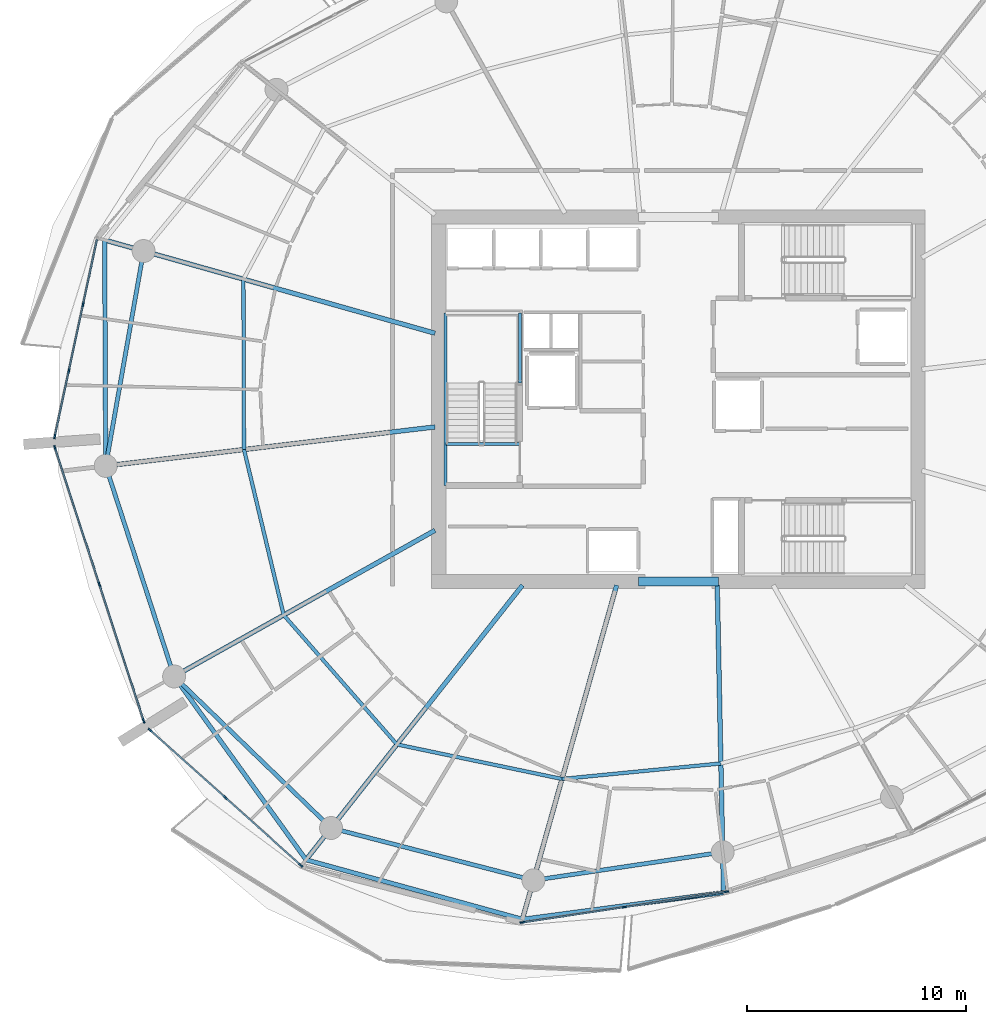
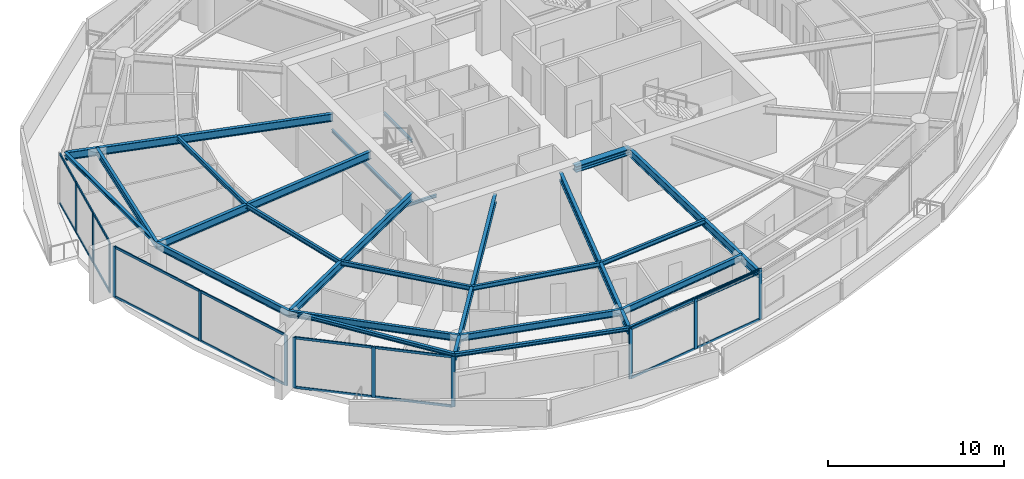
# One storey, part 5 of 21: 30 members, 24 beams, 4 elements without a shape of their own.
"""IFC4 building model written with IfcOpenShell, lengths in metres."""

from ifc_helpers import new_model, si_unit, direction, frame, origin, origin_2d, place, context, subcontext, project, spatial, rectangle, i_section, extrude, material, layer, layer_set, material_profile, profile_set, type_object, element, aggregate, save


model = new_model("IFC4")

# Units and contexts
model_context = context("Model", 3, precision=1e-05, world=origin(), true_north=direction((0.0, 1.0)))
body_context = subcontext(model_context, "Body", "Model", "MODEL_VIEW")
ifc_project = project(units=[si_unit("LENGTHUNIT", "METRE"), si_unit("AREAUNIT", "SQUARE_METRE"), si_unit("VOLUMEUNIT", "CUBIC_METRE"), si_unit("PLANEANGLEUNIT", "RADIAN"), si_unit("MASSUNIT", "GRAM", prefix="KILO")], contexts=[model_context])

# Site, building, storey
site_placement = place(None, origin())
site = spatial("IfcSite", under=ifc_project, at=site_placement, CompositionType="ELEMENT")
building_placement = place(site_placement, origin())
building = spatial("IfcBuilding", under=site, at=building_placement, Name="Kazma Halo Residences", CompositionType="ELEMENT")
storey_placement = place(building_placement, frame((0.0, 0.0, 176.550048828125)))
storey = spatial("IfcBuildingStorey", under=building, at=storey_placement, Name="L44", CompositionType="ELEMENT", Elevation=176.550048828125)

# Beams
ifc_material_1 = material(Name="Steel S355", Category="steel")
ifc_material_profile_1 = material_profile(ifc_material_1, i_section(OverallWidth=0.201904296875, OverallDepth=0.2470703125, WebThickness=0.00732421875, FlangeThickness=0.010986328125, FilletRadius=0.011962890625, at=origin_2d()), Name="W250x49.1")
ifc_profile_set_1 = profile_set([ifc_material_profile_1], Name="Steel S355")
beam_type_1 = type_object("IfcBeamType", Name="BM-BAL-CANT", PredefinedType="BEAM", material=ifc_profile_set_1)
for number, where, z_axis, x_axis, name in (
    (1, (22.19970703125, 49.276611328125, 3.37646484375), (0.004705663334, -0.999988928305, 0.0), (0.999988928305, 0.004705663334, 0.0), "L44 wave-balcony tie beam 07"),
    (2, (25.375, 29.329345703125, 3.37646484375), (0.583963922576, -0.811779611181, 0.0), (0.811779611181, 0.583963922576, 0.0), "L44 wave-balcony lead tie beam 09"),
):
    element("IfcBeam", number, at=place(storey_placement, frame(where, z_axis=z_axis, x_axis=x_axis)), inside=storey, type_object=beam_type_1, Name=name, PredefinedType="BEAM", context=body_context, shape_type="SweptSolid", body=[
        extrude(i_section(OverallWidth=0.201904296875, OverallDepth=0.2470703125, WebThickness=0.00732421875, FlangeThickness=0.010986328125, FilletRadius=0.011962890625, at=origin_2d()), origin(), (0.0, 0.0, 1.0), 10.324462890625),
    ])
beam_1_placement = place(storey_placement, frame((31.404052734375, 20.9482421875, 3.37646484375), z_axis=(0.964197026197, -0.265186905169, 0.0), x_axis=(0.265186905169, 0.964197026197, 0.0)))
element("IfcBeam", 3, at=beam_1_placement, inside=storey, type_object=beam_type_1, Name="L44 wave-balcony tie beam 10", PredefinedType="BEAM", context=body_context, shape_type="SweptSolid", body=[
    extrude(i_section(OverallWidth=0.201904296875, OverallDepth=0.2470703125, WebThickness=0.00732421875, FlangeThickness=0.010986328125, FilletRadius=0.011962890625, at=origin_2d()), origin(), (0.0, 0.0, 1.0), 10.258544921875),
])
beam_2_placement = place(storey_placement, frame((41.29541015625, 18.227783203125, 3.37646484375), z_axis=(0.99126671613, 0.131872277199, 0.0), x_axis=(-0.131872277199, 0.99126671613, 0.0)))
element("IfcBeam", 4, at=beam_2_placement, inside=storey, type_object=beam_type_1, Name="L44 wave-balcony tie beam 11", PredefinedType="BEAM", context=body_context, shape_type="SweptSolid", body=[
    extrude(i_section(OverallWidth=0.201904296875, OverallDepth=0.2470703125, WebThickness=0.00732421875, FlangeThickness=0.010986328125, FilletRadius=0.011962890625, at=origin_2d()), origin(), (0.0, 0.0, 1.0), 9.2734375),
])
ifc_material_profile_2 = material_profile(ifc_material_1, i_section(OverallWidth=0.408935546875, OverallDepth=0.425048828125, WebThickness=0.03271484375, FlangeThickness=0.052490234375, FilletRadius=0.02001953125, at=origin_2d()), Name="W360x421")
ifc_profile_set_2 = profile_set([ifc_material_profile_2], Name="Steel S355")
beam_type_2 = type_object("IfcBeamType", Name="BM-CORE-W360H", PredefinedType="BEAM", material=ifc_profile_set_2)
beam_3_placement = place(storey_placement, frame((46.60009765625, 33.675048828125, 3.287353515625), z_axis=(1.0, 0.0, 0.0), x_axis=(0.0, 1.0, 0.0)))
element("IfcBeam", 5, at=beam_3_placement, inside=storey, type_object=beam_type_2, Name="L44 core coupling beam S", PredefinedType="BEAM", context=body_context, shape_type="SweptSolid", body=[
    extrude(i_section(OverallWidth=0.408935546875, OverallDepth=0.425048828125, WebThickness=0.03271484375, FlangeThickness=0.052490234375, FilletRadius=0.02001953125, at=origin_2d()), origin(), (0.0, 0.0, 1.0), 3.64990234375),
])
ifc_material_profile_3 = material_profile(ifc_material_1, i_section(OverallWidth=0.208984375, OverallDepth=0.532958984375, WebThickness=0.01025390625, FlangeThickness=0.015625, FilletRadius=0.01611328125, at=origin_2d()), Name="W530x92")
ifc_profile_set_3 = profile_set([ifc_material_profile_3], Name="Steel S355")
beam_type_3 = type_object("IfcBeamType", Name="BM-RAD-W530", PredefinedType="BEAM", material=ifc_profile_set_3)
beam_4_placement = place(storey_placement, frame((37.300048828125, 45.017578125, 3.2333984375), z_axis=(-0.962450301448, 0.271457947467, 0.0), x_axis=(-0.271457947467, -0.962450301448, 0.0)))
element("IfcBeam", 6, at=beam_4_placement, inside=storey, type_object=beam_type_3, Name="L44 radial floor beam 07", PredefinedType="BEAM", context=body_context, shape_type="SweptSolid", body=[
    extrude(i_section(OverallWidth=0.208984375, OverallDepth=0.532958984375, WebThickness=0.01025390625, FlangeThickness=0.015625, FilletRadius=0.01611328125, at=origin_2d()), origin(), (0.0, 0.0, 1.0), 15.689453125),
])
beam_5_placement = place(storey_placement, frame((37.300048828125, 40.733642578125, 3.2333984375), z_axis=(-0.993068447674, -0.117537475875, 0.0), x_axis=(0.117537475875, -0.993068447674, 0.0)))
element("IfcBeam", 7, at=beam_5_placement, inside=storey, type_object=beam_type_3, Name="L44 radial floor beam 08", PredefinedType="BEAM", context=body_context, shape_type="SweptSolid", body=[
    extrude(i_section(OverallWidth=0.208984375, OverallDepth=0.532958984375, WebThickness=0.01025390625, FlangeThickness=0.015625, FilletRadius=0.01611328125, at=origin_2d()), origin(), (0.0, 0.0, 1.0), 15.15673828125),
])
beam_6_placement = place(storey_placement, frame((37.300048828125, 36.0078125, 3.2333984375), z_axis=(-0.872492308718, -0.488627845327, 0.0), x_axis=(0.488627845327, -0.872492308718, 0.0)))
element("IfcBeam", 8, at=beam_6_placement, inside=storey, type_object=beam_type_3, Name="L44 radial floor beam 09", PredefinedType="BEAM", context=body_context, shape_type="SweptSolid", body=[
    extrude(i_section(OverallWidth=0.208984375, OverallDepth=0.532958984375, WebThickness=0.01025390625, FlangeThickness=0.015625, FilletRadius=0.01611328125, at=origin_2d()), origin(), (0.0, 0.0, 1.0), 13.667724609375),
])
beam_7_placement = place(storey_placement, frame((41.299072265625, 33.5, 3.2333984375), z_axis=(-0.61909439419, -0.785316580165, 0.0), x_axis=(0.785316580165, -0.61909439419, 0.0)))
element("IfcBeam", 9, at=beam_7_placement, inside=storey, type_object=beam_type_3, Name="L44 radial floor beam 10", PredefinedType="BEAM", context=body_context, shape_type="SweptSolid", body=[
    extrude(i_section(OverallWidth=0.208984375, OverallDepth=0.532958984375, WebThickness=0.01025390625, FlangeThickness=0.015625, FilletRadius=0.01611328125, at=origin_2d()), origin(), (0.0, 0.0, 1.0), 15.983154296875),
])
beam_8_placement = place(storey_placement, frame((45.602783203125, 33.5, 3.2333984375), z_axis=(-0.271449932859, -0.962452561922, 0.0), x_axis=(0.962452561922, -0.271449932859, 0.0)))
element("IfcBeam", 10, at=beam_8_placement, inside=storey, type_object=beam_type_3, Name="L44 radial floor beam 11", PredefinedType="BEAM", context=body_context, shape_type="SweptSolid", body=[
    extrude(i_section(OverallWidth=0.208984375, OverallDepth=0.532958984375, WebThickness=0.01025390625, FlangeThickness=0.015625, FilletRadius=0.01611328125, at=origin_2d()), origin(), (0.0, 0.0, 1.0), 15.867919921875),
])
beam_9_placement = place(storey_placement, frame((50.199951171875, 33.5, 3.2333984375), z_axis=(0.020483658838, -0.99979018785, 0.0), x_axis=(0.99979018785, 0.020483658838, 0.0)))
element("IfcBeam", 11, at=beam_9_placement, inside=storey, type_object=beam_type_3, Name="L44 radial floor beam 12", PredefinedType="BEAM", context=body_context, shape_type="SweptSolid", body=[
    extrude(i_section(OverallWidth=0.208984375, OverallDepth=0.532958984375, WebThickness=0.01025390625, FlangeThickness=0.015625, FilletRadius=0.01611328125, at=origin_2d()), origin(), (0.0, 0.0, 1.0), 14.05224609375),
])
ifc_material_profile_4 = material_profile(ifc_material_1, i_section(OverallWidth=0.1650390625, OverallDepth=0.31005859375, WebThickness=0.005859375, FlangeThickness=0.009765625, FilletRadius=0.011962890625, at=origin_2d()), Name="W310x38.7")
ifc_profile_set_4 = profile_set([ifc_material_profile_4], Name="Steel S355")
beam_type_4 = type_object("IfcBeamType", Name="BM-SEC-W310B", PredefinedType="JOIST", material=ifc_profile_set_4)
beam_10_placement = place(storey_placement, frame((28.5419921875, 47.48779296875, 3.344970703125), z_axis=(0.003605218278, -0.999993501179, 0.0), x_axis=(0.999993501179, 0.003605218278, 0.0)))
element("IfcBeam", 12, at=beam_10_placement, inside=storey, type_object=beam_type_4, Name="L44 circumferential floor joist 07", PredefinedType="JOIST", context=body_context, shape_type="SweptSolid", body=[
    extrude(i_section(OverallWidth=0.1650390625, OverallDepth=0.31005859375, WebThickness=0.005859375, FlangeThickness=0.009765625, FilletRadius=0.011962890625, at=origin_2d()), origin(), (0.0, 0.0, 1.0), 7.78759765625),
])
beam_11_placement = place(storey_placement, frame((28.570068359375, 39.7001953125, 3.344970703125), z_axis=(0.233058429286, -0.972462733753, 0.0), x_axis=(0.972462733753, 0.233058429286, 0.0)))
element("IfcBeam", 13, at=beam_11_placement, inside=storey, type_object=beam_type_4, Name="L44 circumferential floor joist 08", PredefinedType="JOIST", context=body_context, shape_type="SweptSolid", body=[
    extrude(i_section(OverallWidth=0.1650390625, OverallDepth=0.31005859375, WebThickness=0.005859375, FlangeThickness=0.009765625, FilletRadius=0.011962890625, at=origin_2d()), origin(), (0.0, 0.0, 1.0), 7.7802734375),
])
beam_12_placement = place(storey_placement, frame((30.38330078125, 32.13427734375, 3.344970703125), z_axis=(0.658629944618, -0.75246700662, 0.0), x_axis=(0.75246700662, 0.658629944618, 0.0)))
element("IfcBeam", 14, at=beam_12_placement, inside=storey, type_object=beam_type_4, Name="L44 circumferential floor joist 09", PredefinedType="JOIST", context=body_context, shape_type="SweptSolid", body=[
    extrude(i_section(OverallWidth=0.1650390625, OverallDepth=0.31005859375, WebThickness=0.005859375, FlangeThickness=0.009765625, FilletRadius=0.011962890625, at=origin_2d()), origin(), (0.0, 0.0, 1.0), 7.85986328125),
])
beam_13_placement = place(storey_placement, frame((35.56005859375, 26.219970703125, 3.344970703125), z_axis=(0.978821484976, -0.204715657802, 0.0), x_axis=(0.204715657802, 0.978821484976, 0.0)))
element("IfcBeam", 15, at=beam_13_placement, inside=storey, type_object=beam_type_4, Name="L44 circumferential floor joist 10", PredefinedType="JOIST", context=body_context, shape_type="SweptSolid", body=[
    extrude(i_section(OverallWidth=0.1650390625, OverallDepth=0.31005859375, WebThickness=0.005859375, FlangeThickness=0.009765625, FilletRadius=0.011962890625, at=origin_2d()), origin(), (0.0, 0.0, 1.0), 7.707763671875),
])
beam_14_placement = place(storey_placement, frame((43.1044921875, 24.64208984375, 3.344970703125), z_axis=(0.995262165401, 0.097227681872, 0.0), x_axis=(-0.097227681872, 0.995262165401, 0.0)))
element("IfcBeam", 16, at=beam_14_placement, inside=storey, type_object=beam_type_4, Name="L44 circumferential floor joist 11", PredefinedType="JOIST", context=body_context, shape_type="SweptSolid", body=[
    extrude(i_section(OverallWidth=0.1650390625, OverallDepth=0.31005859375, WebThickness=0.005859375, FlangeThickness=0.009765625, FilletRadius=0.011962890625, at=origin_2d()), origin(), (0.0, 0.0, 1.0), 7.297119140625),
])
ifc_material_profile_5 = material_profile(ifc_material_1, i_section(OverallWidth=0.18994140625, OverallDepth=0.45703125, WebThickness=0.009033203125, FlangeThickness=0.014404296875, FilletRadius=0.01611328125, at=origin_2d()), Name="W460x74")
ifc_profile_set_5 = profile_set([ifc_material_profile_5], Name="Steel S355")
beam_type_5 = type_object("IfcBeamType", Name="BM-SPN-W460", PredefinedType="BEAM", material=ifc_profile_set_5)
beam_15_placement = place(storey_placement, frame((23.980224609375, 48.7744140625, 3.271484375), z_axis=(-0.173648484202, -0.984807698962, 0.0), x_axis=(0.984807698962, -0.173648484202, 0.0)))
element("IfcBeam", 17, at=beam_15_placement, inside=storey, type_object=beam_type_5, Name="L44 perimeter ring beam 07", PredefinedType="BEAM", context=body_context, shape_type="SweptSolid", body=[
    extrude(i_section(OverallWidth=0.18994140625, OverallDepth=0.45703125, WebThickness=0.009033203125, FlangeThickness=0.014404296875, FilletRadius=0.01611328125, at=origin_2d()), origin(), (0.0, 0.0, 1.0), 9.973876953125),
])
beam_16_placement = place(storey_placement, frame((22.248291015625, 38.9521484375, 3.271484375), z_axis=(0.309023327426, -0.951054458539, 0.0), x_axis=(0.951054458539, 0.309023327426, 0.0)))
element("IfcBeam", 18, at=beam_16_placement, inside=storey, type_object=beam_type_5, Name="L44 perimeter ring beam 08", PredefinedType="BEAM", context=body_context, shape_type="SweptSolid", body=[
    extrude(i_section(OverallWidth=0.18994140625, OverallDepth=0.45703125, WebThickness=0.009033203125, FlangeThickness=0.014404296875, FilletRadius=0.01611328125, at=origin_2d()), origin(), (0.0, 0.0, 1.0), 10.117919921875),
])
beam_17_placement = place(storey_placement, frame((25.375, 29.329345703125, 3.271484375), z_axis=(0.71933650181, -0.694661786169, 0.0), x_axis=(0.694661786169, 0.71933650181, 0.0)))
element("IfcBeam", 19, at=beam_17_placement, inside=storey, type_object=beam_type_5, Name="L44 perimeter ring beam 09", PredefinedType="BEAM", context=body_context, shape_type="SweptSolid", body=[
    extrude(i_section(OverallWidth=0.18994140625, OverallDepth=0.45703125, WebThickness=0.009033203125, FlangeThickness=0.014404296875, FilletRadius=0.01611328125, at=origin_2d()), origin(), (0.0, 0.0, 1.0), 9.9736328125),
])
beam_18_placement = place(storey_placement, frame((32.54931640625, 22.401123046875, 3.271484375), z_axis=(0.968120950739, -0.25048318255, 0.0), x_axis=(0.25048318255, 0.968120950739, 0.0)))
element("IfcBeam", 20, at=beam_18_placement, inside=storey, type_object=beam_type_5, Name="L44 perimeter ring beam 10", PredefinedType="BEAM", context=body_context, shape_type="SweptSolid", body=[
    extrude(i_section(OverallWidth=0.18994140625, OverallDepth=0.45703125, WebThickness=0.009033203125, FlangeThickness=0.014404296875, FilletRadius=0.01611328125, at=origin_2d()), origin(), (0.0, 0.0, 1.0), 9.552734375),
])
beam_19_placement = place(storey_placement, frame((41.797607421875, 20.00830078125, 3.271484375), z_axis=(0.98903439143, 0.147685383732, 0.0), x_axis=(-0.147685383732, 0.98903439143, 0.0)))
element("IfcBeam", 21, at=beam_19_placement, inside=storey, type_object=beam_type_5, Name="L44 perimeter ring beam 11", PredefinedType="BEAM", context=body_context, shape_type="SweptSolid", body=[
    extrude(i_section(OverallWidth=0.18994140625, OverallDepth=0.45703125, WebThickness=0.009033203125, FlangeThickness=0.014404296875, FilletRadius=0.01611328125, at=origin_2d()), origin(), (0.0, 0.0, 1.0), 8.748291015625),
])
ifc_material_profile_6 = material_profile(ifc_material_1, i_section(OverallWidth=0.133056640625, OverallDepth=0.20703125, WebThickness=0.005859375, FlangeThickness=0.00830078125, FilletRadius=0.010009765625, at=origin_2d()), Name="W200x26.6")
ifc_profile_set_6 = profile_set([ifc_material_profile_6], Name="Steel S355")
beam_type_6 = type_object("IfcBeamType", Name="BM-TRIM-W200", PredefinedType="BEAM", material=ifc_profile_set_6)
beam_20_placement = place(storey_placement, frame((37.800048828125, 39.949951171875, -0.510009765625), z_axis=(1.0, 0.0, 0.0), x_axis=(0.0, 1.0, 0.0)))
element("IfcBeam", 22, at=beam_20_placement, inside=storey, type_object=beam_type_6, Name="L44 ST-01 floor landing support beam", PredefinedType="BEAM", context=body_context, shape_type="SweptSolid", body=[
    extrude(i_section(OverallWidth=0.133056640625, OverallDepth=0.20703125, WebThickness=0.005859375, FlangeThickness=0.00830078125, FilletRadius=0.010009765625, at=origin_2d()), origin(), (0.0, 0.0, 1.0), 3.3798828125),
])
beam_21_placement = place(storey_placement, frame((37.780029296875, 38.06005859375, 1.570068359375), z_axis=(0.0, 1.0, 0.0), x_axis=(-1.0, 0.0, 0.0)))
element("IfcBeam", 23, at=beam_21_placement, inside=storey, type_object=beam_type_6, Name="L44 ST-01 landing west wall ledger", PredefinedType="BEAM", context=body_context, shape_type="SweptSolid", body=[
    extrude(i_section(OverallWidth=0.133056640625, OverallDepth=0.20703125, WebThickness=0.005859375, FlangeThickness=0.00830078125, FilletRadius=0.010009765625, at=origin_2d()), origin(), (0.0, 0.0, 1.0), 7.8798828125),
])
beam_22_placement = place(storey_placement, frame((41.179931640625, 42.75, 1.570068359375), z_axis=(0.0, 1.0, 0.0), x_axis=(-1.0, 0.0, 0.0)))
element("IfcBeam", 24, at=beam_22_placement, inside=storey, type_object=beam_type_6, Name="L44 ST-01 landing east wall ledger", PredefinedType="BEAM", context=body_context, shape_type="SweptSolid", body=[
    extrude(i_section(OverallWidth=0.133056640625, OverallDepth=0.20703125, WebThickness=0.005859375, FlangeThickness=0.00830078125, FilletRadius=0.010009765625, at=origin_2d()), origin(), (0.0, 0.0, 1.0), 3.18994140625),
])

# Curtain wall, members
ifc_material_2 = material(Name="Aluminium AW-6063 T6 and Triple-Silver Low-E Glass", Category="aluminium")
ifc_layer = layer(ifc_material_2, 0.219970703125)
ifc_layer_set = layer_set([ifc_layer], Name="Aluminium AW-6063 T6 and Triple-Silver Low-E Glass")
curtain_wall_type = type_object("IfcCurtainWallType", Name="CW-SYS-4", PredefinedType="NOTDEFINED", material=ifc_layer_set)
curtain_wall_1_placement = place(storey_placement, origin())
curtain_wall_1 = element("IfcCurtainWall", 25, at=curtain_wall_1_placement, inside=storey, type_object=curtain_wall_type, Name="L44 unitised curtain wall B07", PredefinedType="NOTDEFINED")
ifc_material_3 = material(Name="Aluminium AW-6063 T6", Category="aluminium")
ifc_material_profile_7 = material_profile(ifc_material_3, rectangle(XDim=0.074951171875, YDim=0.219970703125, at=origin_2d()), Name="CWM-75x220")
ifc_profile_set_7 = profile_set([ifc_material_profile_7], Name="Aluminium AW-6063 T6")
member_type_1 = type_object("IfcMemberType", Name="CW-SYS-4-MUL", PredefinedType="MULLION", material=ifc_profile_set_7)
member_1_placement = place(storey_placement, frame((21.212890625, 46.3330078125, 0.0), z_axis=(0.0, 0.0, 1.0), x_axis=(0.977768017212, -0.209689543175, 0.0)))
member_1 = element("IfcMember", 26, at=member_1_placement, type_object=member_type_1, Name="CWS-4 mullion 2", PredefinedType="MULLION", context=body_context, shape_type="SweptSolid", body=[
    extrude(rectangle(XDim=0.074951171875, YDim=0.219970703125, at=origin_2d()), origin(), (0.0, 0.0, 1.0), 3.5),
])
member_2_placement = place(storey_placement, frame((20.561279296875, 43.295166015625, 0.0), z_axis=(0.0, 0.0, 1.0), x_axis=(0.977768017212, -0.209689543175, 0.0)))
member_2 = element("IfcMember", 27, at=member_2_placement, type_object=member_type_1, Name="CWS-4 mullion 3", PredefinedType="MULLION", context=body_context, shape_type="SweptSolid", body=[
    extrude(rectangle(XDim=0.074951171875, YDim=0.219970703125, at=origin_2d()), origin(), (0.0, 0.0, 1.0), 3.5),
])
member_3_placement = place(storey_placement, frame((19.917724609375, 40.2939453125, 0.0), z_axis=(0.0, 0.0, 1.0), x_axis=(0.977768017212, -0.209689543175, 0.0)))
member_3 = element("IfcMember", 28, at=member_3_placement, type_object=member_type_1, Name="CWS-4 mullion 4", PredefinedType="MULLION", context=body_context, shape_type="SweptSolid", body=[
    extrude(rectangle(XDim=0.074951171875, YDim=0.219970703125, at=origin_2d()), origin(), (0.0, 0.0, 1.0), 3.5),
])

curtain_wall_2_placement = place(storey_placement, origin())
curtain_wall_2 = element("IfcCurtainWall", 29, at=curtain_wall_2_placement, inside=storey, type_object=curtain_wall_type, Name="L44 unitised curtain wall B08", PredefinedType="NOTDEFINED")
member_4_placement = place(storey_placement, frame((19.9287109375, 39.77880859375, 0.0), z_axis=(0.0, 0.0, 1.0), x_axis=(0.951056893636, 0.309015833038, 0.0)))
member_4 = element("IfcMember", 30, at=member_4_placement, type_object=member_type_1, Name="CWS-4 mullion 1", PredefinedType="MULLION", context=body_context, shape_type="SweptSolid", body=[
    extrude(rectangle(XDim=0.074951171875, YDim=0.219970703125, at=origin_2d()), origin(), (0.0, 0.0, 1.0), 3.5),
])
member_5_placement = place(storey_placement, frame((21.95654296875, 33.5380859375, 0.0), z_axis=(0.0, 0.0, 1.0), x_axis=(0.951056893636, 0.309015833038, 0.0)))
member_5 = element("IfcMember", 31, at=member_5_placement, type_object=member_type_1, Name="CWS-4 mullion 2", PredefinedType="MULLION", context=body_context, shape_type="SweptSolid", body=[
    extrude(rectangle(XDim=0.074951171875, YDim=0.219970703125, at=origin_2d()), origin(), (0.0, 0.0, 1.0), 3.5),
])
member_6_placement = place(storey_placement, frame((23.984375, 27.297119140625, 0.0), z_axis=(0.0, 0.0, 1.0), x_axis=(0.951056893636, 0.309015833038, 0.0)))
member_6 = element("IfcMember", 32, at=member_6_placement, type_object=member_type_1, Name="CWS-4 mullion 3", PredefinedType="MULLION", context=body_context, shape_type="SweptSolid", body=[
    extrude(rectangle(XDim=0.074951171875, YDim=0.219970703125, at=origin_2d()), origin(), (0.0, 0.0, 1.0), 3.5),
])

curtain_wall_3_placement = place(storey_placement, origin())
curtain_wall_3 = element("IfcCurtainWall", 33, at=curtain_wall_3_placement, inside=storey, type_object=curtain_wall_type, Name="L44 unitised curtain wall B09", PredefinedType="NOTDEFINED")
member_7_placement = place(storey_placement, frame((24.2783203125, 26.873779296875, 0.0), z_axis=(0.0, 0.0, 1.0), x_axis=(0.667784328806, 0.744354814723, 0.0)))
member_7 = element("IfcMember", 34, at=member_7_placement, type_object=member_type_1, Name="CWS-4 mullion 1", PredefinedType="MULLION", context=body_context, shape_type="SweptSolid", body=[
    extrude(rectangle(XDim=0.074951171875, YDim=0.219970703125, at=origin_2d()), origin(), (0.0, 0.0, 1.0), 3.5),
])
member_8_placement = place(storey_placement, frame((27.719482421875, 23.786865234375, 0.0), z_axis=(0.0, 0.0, 1.0), x_axis=(0.667784328806, 0.744354814723, 0.0)))
member_8 = element("IfcMember", 35, at=member_8_placement, type_object=member_type_1, Name="CWS-4 mullion 2", PredefinedType="MULLION", context=body_context, shape_type="SweptSolid", body=[
    extrude(rectangle(XDim=0.074951171875, YDim=0.219970703125, at=origin_2d()), origin(), (0.0, 0.0, 1.0), 3.5),
])
member_9_placement = place(storey_placement, frame((31.160400390625, 20.69970703125, 0.0), z_axis=(0.0, 0.0, 1.0), x_axis=(0.667784328806, 0.744354814723, 0.0)))
member_9 = element("IfcMember", 36, at=member_9_placement, type_object=member_type_1, Name="CWS-4 mullion 3", PredefinedType="MULLION", context=body_context, shape_type="SweptSolid", body=[
    extrude(rectangle(XDim=0.074951171875, YDim=0.219970703125, at=origin_2d()), origin(), (0.0, 0.0, 1.0), 3.5),
])

curtain_wall_4_placement = place(storey_placement, origin())
curtain_wall_4 = element("IfcCurtainWall", 37, at=curtain_wall_4_placement, inside=storey, type_object=curtain_wall_type, Name="L44 unitised curtain wall B11", PredefinedType="NOTDEFINED")
member_10_placement = place(storey_placement, frame((41.291259765625, 18.086669921875, 0.0), z_axis=(0.0, 0.0, 1.0), x_axis=(-0.148772639188, 0.988871428361, 0.0)))
member_10 = element("IfcMember", 38, at=member_10_placement, type_object=member_type_1, Name="CWS-4 mullion 1", PredefinedType="MULLION", context=body_context, shape_type="SweptSolid", body=[
    extrude(rectangle(XDim=0.074951171875, YDim=0.219970703125, at=origin_2d()), origin(), (0.0, 0.0, 1.0), 3.5),
])
member_11_placement = place(storey_placement, frame((45.958740234375, 18.788818359375, 0.0), z_axis=(0.0, 0.0, 1.0), x_axis=(-0.148772639188, 0.988871428361, 0.0)))
member_11 = element("IfcMember", 39, at=member_11_placement, type_object=member_type_1, Name="CWS-4 mullion 2", PredefinedType="MULLION", context=body_context, shape_type="SweptSolid", body=[
    extrude(rectangle(XDim=0.074951171875, YDim=0.219970703125, at=origin_2d()), origin(), (0.0, 0.0, 1.0), 3.5),
])
member_12_placement = place(storey_placement, frame((50.626220703125, 19.490966796875, 0.0), z_axis=(0.0, 0.0, 1.0), x_axis=(-0.148772639188, 0.988871428361, 0.0)))
member_12 = element("IfcMember", 40, at=member_12_placement, type_object=member_type_1, Name="CWS-4 mullion 3", PredefinedType="MULLION", context=body_context, shape_type="SweptSolid", body=[
    extrude(rectangle(XDim=0.074951171875, YDim=0.219970703125, at=origin_2d()), origin(), (0.0, 0.0, 1.0), 3.5),
])

# Member
ifc_material_profile_8 = material_profile(ifc_material_3, rectangle(XDim=0.074951171875, YDim=0.1650390625, at=origin_2d()), Name="CWT-75x165")
ifc_profile_set_8 = profile_set([ifc_material_profile_8], Name="Aluminium AW-6063 T6")
member_type_2 = type_object("IfcMemberType", Name="CW-SYS-4-TRN", PredefinedType="USERDEFINED", material=ifc_profile_set_8)
member_13_placement = place(storey_placement, frame((21.8486328125, 49.297607421875, 0.037353515625), z_axis=(-0.209707268418, -0.977764215735, 0.0), x_axis=(0.977764215735, -0.209707268418, 0.0)))
member_13 = element("IfcMember", 41, at=member_13_placement, type_object=member_type_2, Name="CWS-4 transom 1.1", ObjectType="TRANSOM", PredefinedType="USERDEFINED", context=body_context, shape_type="SweptSolid", body=[
    extrude(rectangle(XDim=0.074951171875, YDim=0.1650390625, at=origin_2d()), origin(), (0.0, 0.0, 1.0), 2.994384765625),
])

member_14_placement = place(storey_placement, frame((21.8486328125, 49.297607421875, 3.46240234375), z_axis=(-0.209707268418, -0.977764215735, 0.0), x_axis=(0.977764215735, -0.209707268418, 0.0)))
member_14 = element("IfcMember", 42, at=member_14_placement, type_object=member_type_2, Name="CWS-4 transom 1.2", ObjectType="TRANSOM", PredefinedType="USERDEFINED", context=body_context, shape_type="SweptSolid", body=[
    extrude(rectangle(XDim=0.074951171875, YDim=0.1650390625, at=origin_2d()), origin(), (0.0, 0.0, 1.0), 2.994384765625),
])

member_15_placement = place(storey_placement, frame((21.205078125, 46.29638671875, 0.037353515625), z_axis=(-0.209677559804, -0.977770587057, 0.0), x_axis=(0.977770587057, -0.209677559804, 0.0)))
member_15 = element("IfcMember", 43, at=member_15_placement, type_object=member_type_2, Name="CWS-4 transom 2.1", ObjectType="TRANSOM", PredefinedType="USERDEFINED", context=body_context, shape_type="SweptSolid", body=[
    extrude(rectangle(XDim=0.074951171875, YDim=0.1650390625, at=origin_2d()), origin(), (0.0, 0.0, 1.0), 3.031982421875),
])

member_16_placement = place(storey_placement, frame((21.205078125, 46.29638671875, 3.46240234375), z_axis=(-0.209677559804, -0.977770587057, 0.0), x_axis=(0.977770587057, -0.209677559804, 0.0)))
member_16 = element("IfcMember", 44, at=member_16_placement, type_object=member_type_2, Name="CWS-4 transom 2.2", ObjectType="TRANSOM", PredefinedType="USERDEFINED", context=body_context, shape_type="SweptSolid", body=[
    extrude(rectangle(XDim=0.074951171875, YDim=0.1650390625, at=origin_2d()), origin(), (0.0, 0.0, 1.0), 3.031982421875),
])

member_17_placement = place(storey_placement, frame((20.553466796875, 43.258544921875, 0.037353515625), z_axis=(-0.209690551496, -0.97776780097, 0.0), x_axis=(0.97776780097, -0.209690551496, 0.0)))
member_17 = element("IfcMember", 45, at=member_17_placement, type_object=member_type_2, Name="CWS-4 transom 3.1", ObjectType="TRANSOM", PredefinedType="USERDEFINED", context=body_context, shape_type="SweptSolid", body=[
    extrude(rectangle(XDim=0.074951171875, YDim=0.1650390625, at=origin_2d()), origin(), (0.0, 0.0, 1.0), 2.99462890625),
])

member_18_placement = place(storey_placement, frame((20.553466796875, 43.258544921875, 3.46240234375), z_axis=(-0.209690551496, -0.97776780097, 0.0), x_axis=(0.97776780097, -0.209690551496, 0.0)))
member_18 = element("IfcMember", 46, at=member_18_placement, type_object=member_type_2, Name="CWS-4 transom 3.2", ObjectType="TRANSOM", PredefinedType="USERDEFINED", context=body_context, shape_type="SweptSolid", body=[
    extrude(rectangle(XDim=0.074951171875, YDim=0.1650390625, at=origin_2d()), origin(), (0.0, 0.0, 1.0), 2.99462890625),
])

aggregate(curtain_wall_1, [member_1, member_2, member_3, member_13, member_14, member_15, member_16, member_17, member_18])

member_19_placement = place(storey_placement, frame((19.9404296875, 39.7431640625, 0.037353515625), z_axis=(0.30902650142, -0.951053427217, 0.0), x_axis=(0.951053427217, 0.30902650142, 0.0)))
member_19 = element("IfcMember", 47, at=member_19_placement, type_object=member_type_2, Name="CWS-4 transom 1.1", ObjectType="TRANSOM", PredefinedType="USERDEFINED", context=body_context, shape_type="SweptSolid", body=[
    extrude(rectangle(XDim=0.074951171875, YDim=0.1650390625, at=origin_2d()), origin(), (0.0, 0.0, 1.0), 6.487060546875),
])

member_20_placement = place(storey_placement, frame((19.9404296875, 39.7431640625, 3.46240234375), z_axis=(0.30902650142, -0.951053427217, 0.0), x_axis=(0.951053427217, 0.30902650142, 0.0)))
member_20 = element("IfcMember", 48, at=member_20_placement, type_object=member_type_2, Name="CWS-4 transom 1.2", ObjectType="TRANSOM", PredefinedType="USERDEFINED", context=body_context, shape_type="SweptSolid", body=[
    extrude(rectangle(XDim=0.074951171875, YDim=0.1650390625, at=origin_2d()), origin(), (0.0, 0.0, 1.0), 6.487060546875),
])

member_21_placement = place(storey_placement, frame((21.968017578125, 33.50244140625, 0.037353515625), z_axis=(0.309015440644, -0.951057021132, 0.0), x_axis=(0.951057021132, 0.309015440644, 0.0)))
member_21 = element("IfcMember", 49, at=member_21_placement, type_object=member_type_2, Name="CWS-4 transom 2.1", ObjectType="TRANSOM", PredefinedType="USERDEFINED", context=body_context, shape_type="SweptSolid", body=[
    extrude(rectangle(XDim=0.074951171875, YDim=0.1650390625, at=origin_2d()), origin(), (0.0, 0.0, 1.0), 6.487060546875),
])

member_22_placement = place(storey_placement, frame((21.968017578125, 33.50244140625, 3.46240234375), z_axis=(0.309015440644, -0.951057021132, 0.0), x_axis=(0.951057021132, 0.309015440644, 0.0)))
member_22 = element("IfcMember", 50, at=member_22_placement, type_object=member_type_2, Name="CWS-4 transom 2.2", ObjectType="TRANSOM", PredefinedType="USERDEFINED", context=body_context, shape_type="SweptSolid", body=[
    extrude(rectangle(XDim=0.074951171875, YDim=0.1650390625, at=origin_2d()), origin(), (0.0, 0.0, 1.0), 6.487060546875),
])

aggregate(curtain_wall_2, [member_4, member_5, member_6, member_19, member_20, member_21, member_22])

member_23_placement = place(storey_placement, frame((24.30615234375, 26.848876953125, 0.037353515625), z_axis=(0.744344906673, -0.667795372783, 0.0), x_axis=(0.667795372783, 0.744344906673, 0.0)))
member_23 = element("IfcMember", 51, at=member_23_placement, type_object=member_type_2, Name="CWS-4 transom 1.1", ObjectType="TRANSOM", PredefinedType="USERDEFINED", context=body_context, shape_type="SweptSolid", body=[
    extrude(rectangle(XDim=0.074951171875, YDim=0.1650390625, at=origin_2d()), origin(), (0.0, 0.0, 1.0), 4.5478515625),
])

member_24_placement = place(storey_placement, frame((24.30615234375, 26.848876953125, 3.46240234375), z_axis=(0.744344906673, -0.667795372783, 0.0), x_axis=(0.667795372783, 0.744344906673, 0.0)))
member_24 = element("IfcMember", 52, at=member_24_placement, type_object=member_type_2, Name="CWS-4 transom 1.2", ObjectType="TRANSOM", PredefinedType="USERDEFINED", context=body_context, shape_type="SweptSolid", body=[
    extrude(rectangle(XDim=0.074951171875, YDim=0.1650390625, at=origin_2d()), origin(), (0.0, 0.0, 1.0), 4.5478515625),
])

member_25_placement = place(storey_placement, frame((27.747314453125, 23.76171875, 0.037353515625), z_axis=(0.744344906673, -0.667795372783, 0.0), x_axis=(0.667795372783, 0.744344906673, 0.0)))
member_25 = element("IfcMember", 53, at=member_25_placement, type_object=member_type_2, Name="CWS-4 transom 2.1", ObjectType="TRANSOM", PredefinedType="USERDEFINED", context=body_context, shape_type="SweptSolid", body=[
    extrude(rectangle(XDim=0.074951171875, YDim=0.1650390625, at=origin_2d()), origin(), (0.0, 0.0, 1.0), 4.5478515625),
])

member_26_placement = place(storey_placement, frame((27.747314453125, 23.76171875, 3.46240234375), z_axis=(0.744344906673, -0.667795372783, 0.0), x_axis=(0.667795372783, 0.744344906673, 0.0)))
member_26 = element("IfcMember", 54, at=member_26_placement, type_object=member_type_2, Name="CWS-4 transom 2.2", ObjectType="TRANSOM", PredefinedType="USERDEFINED", context=body_context, shape_type="SweptSolid", body=[
    extrude(rectangle(XDim=0.074951171875, YDim=0.1650390625, at=origin_2d()), origin(), (0.0, 0.0, 1.0), 4.5478515625),
])

aggregate(curtain_wall_3, [member_7, member_8, member_9, member_23, member_24, member_25, member_26])

member_27_placement = place(storey_placement, frame((41.328369140625, 18.092041015625, 0.037353515625), z_axis=(0.988867623216, 0.148797929272, 0.0), x_axis=(-0.148797929272, 0.988867623216, 0.0)))
member_27 = element("IfcMember", 55, at=member_27_placement, type_object=member_type_2, Name="CWS-4 transom 1.1", ObjectType="TRANSOM", PredefinedType="USERDEFINED", context=body_context, shape_type="SweptSolid", body=[
    extrude(rectangle(XDim=0.074951171875, YDim=0.1650390625, at=origin_2d()), origin(), (0.0, 0.0, 1.0), 4.64501953125),
])

member_28_placement = place(storey_placement, frame((41.328369140625, 18.092041015625, 3.46240234375), z_axis=(0.988867623216, 0.148797929272, 0.0), x_axis=(-0.148797929272, 0.988867623216, 0.0)))
member_28 = element("IfcMember", 56, at=member_28_placement, type_object=member_type_2, Name="CWS-4 transom 1.2", ObjectType="TRANSOM", PredefinedType="USERDEFINED", context=body_context, shape_type="SweptSolid", body=[
    extrude(rectangle(XDim=0.074951171875, YDim=0.1650390625, at=origin_2d()), origin(), (0.0, 0.0, 1.0), 4.64501953125),
])

member_29_placement = place(storey_placement, frame((45.995849609375, 18.79443359375, 0.037353515625), z_axis=(0.988876518566, 0.148738801357, 0.0), x_axis=(-0.148738801357, 0.988876518566, 0.0)))
member_29 = element("IfcMember", 57, at=member_29_placement, type_object=member_type_2, Name="CWS-4 transom 2.1", ObjectType="TRANSOM", PredefinedType="USERDEFINED", context=body_context, shape_type="SweptSolid", body=[
    extrude(rectangle(XDim=0.074951171875, YDim=0.1650390625, at=origin_2d()), origin(), (0.0, 0.0, 1.0), 4.645263671875),
])

member_30_placement = place(storey_placement, frame((45.995849609375, 18.79443359375, 3.46240234375), z_axis=(0.988876518566, 0.148738801357, 0.0), x_axis=(-0.148738801357, 0.988876518566, 0.0)))
member_30 = element("IfcMember", 58, at=member_30_placement, type_object=member_type_2, Name="CWS-4 transom 2.2", ObjectType="TRANSOM", PredefinedType="USERDEFINED", context=body_context, shape_type="SweptSolid", body=[
    extrude(rectangle(XDim=0.074951171875, YDim=0.1650390625, at=origin_2d()), origin(), (0.0, 0.0, 1.0), 4.645263671875),
])

aggregate(curtain_wall_4, [member_10, member_11, member_12, member_27, member_28, member_29, member_30])

save(model, "model.ifc")
